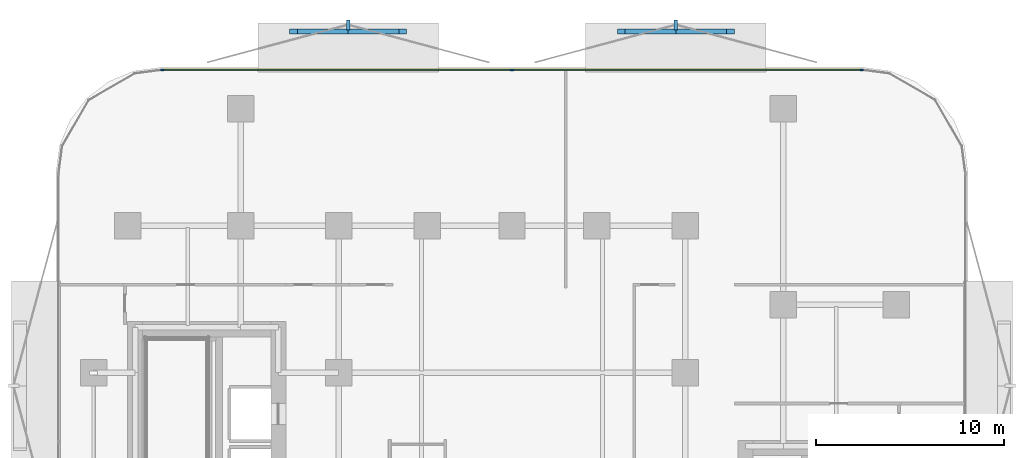
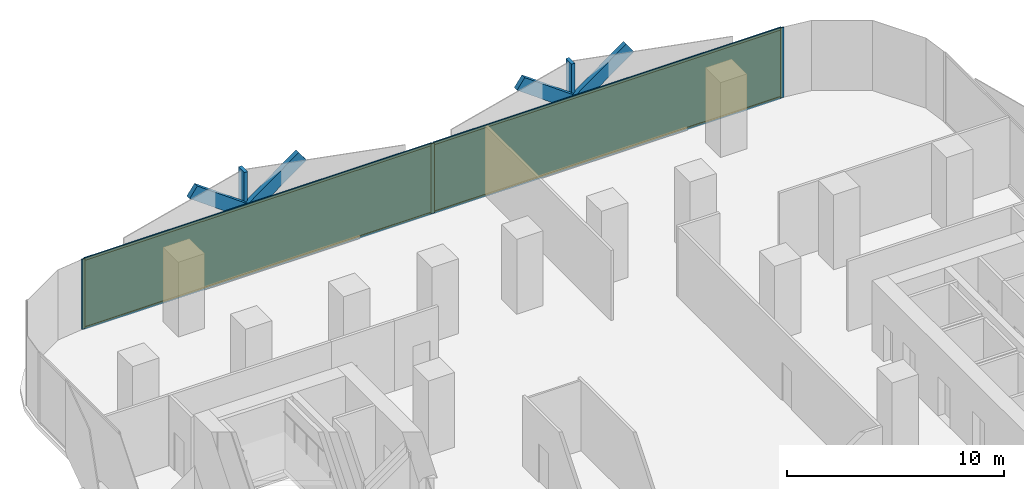
# One storey, part 10 of 15: 13 members, 2 plates, 1 curtain wall.
"""IFC4 building model written with IfcOpenShell, lengths in metres."""

from ifc_helpers import new_model, si_unit, direction, frame, frame_2d, origin, origin_2d, place, context, subcontext, project, spatial, rectangle, extrude, material, layer, layer_set, material_profile, profile_set, type_object, element, aggregate, save


model = new_model("IFC4")

# Units and contexts
model_context = context("Model", 3, precision=1e-05, world=origin(), true_north=direction((0.0, 1.0)))
body_context = subcontext(model_context, "Body", "Model", "MODEL_VIEW")
ifc_project = project(units=[si_unit("LENGTHUNIT", "METRE"), si_unit("AREAUNIT", "SQUARE_METRE"), si_unit("VOLUMEUNIT", "CUBIC_METRE"), si_unit("PLANEANGLEUNIT", "RADIAN"), si_unit("MASSUNIT", "GRAM", prefix="KILO")], contexts=[model_context])

# Member
ifc_material_1 = material(Name="Anodised Bronze Aluminium 6063-T6", Category="aluminium")
ifc_material_profile_1 = material_profile(ifc_material_1, rectangle(XDim=0.260009765625, YDim=0.699951171875, at=origin_2d()))
ifc_profile_set_1 = profile_set([ifc_material_profile_1], Name="Anodised Bronze Aluminium 6063-T6")
member_type_1 = type_object("IfcMemberType", Name="Bronze Diamond Solar-Screen Lattice Rib BDL-700", PredefinedType="MULLION", material=ifc_profile_set_1)
site_placement = place(None, origin())
building_placement = place(site_placement, origin())
storey_placement = place(building_placement, frame((0.0, 0.0, 30.199951171875)))
member_1_placement = place(storey_placement, frame((-11.593994140625, 28.89990234375, -0.1298828125), z_axis=(0.809806906486, 0.0, 0.58669649241), x_axis=(0.0, 1.0, 0.0)))
member_1 = element("IfcMember", 1, at=member_1_placement, type_object=member_type_1, Name="L07 Bronze Diamond Solar Screen Lattice Rib 13A", PredefinedType="MULLION", context=body_context, shape_type="SweptSolid", body=[
    extrude(rectangle(XDim=0.260009765625, YDim=0.699951171875, at=origin_2d()), origin(), (0.0, 0.0, 1.0), 7.15869140625),
])

member_2_placement = place(storey_placement, frame((-5.796875, 28.89990234375, -0.1298828125), z_axis=(-0.809806906486, 0.0, 0.58669649241), x_axis=(0.0, -1.0, 0.0)))
member_2 = element("IfcMember", 2, at=member_2_placement, type_object=member_type_1, Name="L07 Bronze Diamond Solar Screen Lattice Rib 13B", PredefinedType="MULLION", context=body_context, shape_type="SweptSolid", body=[
    extrude(rectangle(XDim=0.260009765625, YDim=0.699951171875, at=origin_2d()), origin(), (0.0, 0.0, 1.0), 7.15869140625),
])

member_3_placement = place(storey_placement, frame((5.796875, 28.89990234375, -0.1298828125), z_axis=(0.809806906486, 0.0, 0.58669649241), x_axis=(0.0, 1.0, 0.0)))
member_3 = element("IfcMember", 3, at=member_3_placement, type_object=member_type_1, Name="L07 Bronze Diamond Solar Screen Lattice Rib 14A", PredefinedType="MULLION", context=body_context, shape_type="SweptSolid", body=[
    extrude(rectangle(XDim=0.260009765625, YDim=0.699951171875, at=origin_2d()), origin(), (0.0, 0.0, 1.0), 7.15869140625),
])

member_4_placement = place(storey_placement, frame((11.593994140625, 28.89990234375, -0.1298828125), z_axis=(-0.809806906486, 0.0, 0.58669649241), x_axis=(0.0, -1.0, 0.0)))
member_4 = element("IfcMember", 4, at=member_4_placement, type_object=member_type_1, Name="L07 Bronze Diamond Solar Screen Lattice Rib 14B", PredefinedType="MULLION", context=body_context, shape_type="SweptSolid", body=[
    extrude(rectangle(XDim=0.260009765625, YDim=0.699951171875, at=origin_2d()), origin(), (0.0, 0.0, 1.0), 7.15869140625),
])

ifc_material_2 = material(Name="Anodised Bronze Aluminium 6063-T6", Category="aluminium")
ifc_material_profile_2 = material_profile(ifc_material_2, rectangle(XDim=0.179931640625, YDim=0.5400390625, at=origin_2d()))
ifc_profile_set_2 = profile_set([ifc_material_profile_2], Name="Anodised Bronze Aluminium 6063-T6")
member_type_2 = type_object("IfcMemberType", Name="Bronze Solar-Screen Vertical Fold Fin BSF-540", PredefinedType="MULLION", material=ifc_profile_set_2)
member_5_placement = place(storey_placement, frame((-8.6953125, 29.239990234375, -0.1298828125), z_axis=(0.0, 0.0, 1.0), x_axis=(1.0, 0.0, 0.0)))
member_5 = element("IfcMember", 5, at=member_5_placement, type_object=member_type_2, Name="L07 Bronze Solar Screen Vertical Fin 13", PredefinedType="MULLION", context=body_context, shape_type="SweptSolid", body=[
    extrude(rectangle(XDim=0.179931640625, YDim=0.5400390625, at=origin_2d()), origin(), (0.0, 0.0, 1.0), 4.199951171875),
])

member_6_placement = place(storey_placement, frame((8.6953125, 29.239990234375, -0.1298828125), z_axis=(0.0, 0.0, 1.0), x_axis=(1.0, 0.0, 0.0)))
member_6 = element("IfcMember", 6, at=member_6_placement, type_object=member_type_2, Name="L07 Bronze Solar Screen Vertical Fin 14", PredefinedType="MULLION", context=body_context, shape_type="SweptSolid", body=[
    extrude(rectangle(XDim=0.179931640625, YDim=0.5400390625, at=origin_2d()), origin(), (0.0, 0.0, 1.0), 4.199951171875),
])

ifc_material_3 = material(Name="Anodised Bronze Aluminium 6063-T6", Category="aluminium")
ifc_material_profile_3 = material_profile(ifc_material_3, rectangle(XDim=0.06494140625, YDim=0.179931640625, at=origin_2d()))
ifc_profile_set_3 = profile_set([ifc_material_profile_3], Name="Anodised Bronze Aluminium 6063-T6")
member_type_3 = type_object("IfcMemberType", Name="CW-Z1 Mullion 65x180", PredefinedType="MULLION", material=ifc_profile_set_3)
member_7_placement = place(storey_placement, frame((-18.558349609375, 26.860107421875, 0.0), z_axis=(0.0, 0.0, 1.0), x_axis=(0.0, 1.0, 0.0)))
member_7 = element("IfcMember", 7, at=member_7_placement, type_object=member_type_3, Name="CW-Z1 mullion 1", PredefinedType="MULLION", context=body_context, shape_type="SweptSolid", body=[
    extrude(rectangle(XDim=0.06494140625, YDim=0.179931640625, at=origin_2d()), origin(), (0.0, 0.0, 1.0), 3.93994140625),
])

member_8_placement = place(storey_placement, frame((0.0, 26.860107421875, 0.0), z_axis=(0.0, 0.0, 1.0), x_axis=(0.0, 1.0, 0.0)))
member_8 = element("IfcMember", 8, at=member_8_placement, type_object=member_type_3, Name="CW-Z1 mullion 2", PredefinedType="MULLION", context=body_context, shape_type="SweptSolid", body=[
    extrude(rectangle(XDim=0.06494140625, YDim=0.179931640625, at=origin_2d()), origin(), (0.0, 0.0, 1.0), 3.93994140625),
])

member_9_placement = place(storey_placement, frame((18.558349609375, 26.860107421875, 0.0), z_axis=(0.0, 0.0, 1.0), x_axis=(0.0, 1.0, 0.0)))
member_9 = element("IfcMember", 9, at=member_9_placement, type_object=member_type_3, Name="CW-Z1 mullion 3", PredefinedType="MULLION", context=body_context, shape_type="SweptSolid", body=[
    extrude(rectangle(XDim=0.06494140625, YDim=0.179931640625, at=origin_2d()), origin(), (0.0, 0.0, 1.0), 3.93994140625),
])

ifc_material_4 = material(Name="Anodised Bronze Aluminium 6063-T6", Category="aluminium")
ifc_material_profile_4 = material_profile(ifc_material_4, rectangle(XDim=0.06494140625, YDim=0.139892578125, at=origin_2d()))
ifc_profile_set_4 = profile_set([ifc_material_profile_4], Name="Anodised Bronze Aluminium 6063-T6")
member_type_4 = type_object("IfcMemberType", Name="CW-Z1 Transom 65x140", PredefinedType="USERDEFINED", material=ifc_profile_set_4)
member_10_placement = place(storey_placement, frame((-18.52587890625, 26.860107421875, 0.032470703125), z_axis=(1.0, 0.0, 0.0), x_axis=(0.0, 1.0, 0.0)))
member_10 = element("IfcMember", 10, at=member_10_placement, type_object=member_type_4, Name="CW-Z1 transom 1.1", ObjectType="TRANSOM", PredefinedType="USERDEFINED", context=body_context, shape_type="SweptSolid", body=[
    extrude(rectangle(XDim=0.06494140625, YDim=0.139892578125, at=origin_2d()), origin(), (0.0, 0.0, 1.0), 18.493408203125),
])

member_11_placement = place(storey_placement, frame((-18.52587890625, 26.860107421875, 3.907470703125), z_axis=(1.0, 0.0, 0.0), x_axis=(0.0, 1.0, 0.0)))
member_11 = element("IfcMember", 11, at=member_11_placement, type_object=member_type_4, Name="CW-Z1 transom 1.2", ObjectType="TRANSOM", PredefinedType="USERDEFINED", context=body_context, shape_type="SweptSolid", body=[
    extrude(rectangle(XDim=0.06494140625, YDim=0.139892578125, at=origin_2d()), origin(), (0.0, 0.0, 1.0), 18.493408203125),
])

member_12_placement = place(storey_placement, frame((0.032470703125, 26.860107421875, 0.032470703125), z_axis=(1.0, 0.0, 0.0), x_axis=(0.0, 1.0, 0.0)))
member_12 = element("IfcMember", 12, at=member_12_placement, type_object=member_type_4, Name="CW-Z1 transom 2.1", ObjectType="TRANSOM", PredefinedType="USERDEFINED", context=body_context, shape_type="SweptSolid", body=[
    extrude(rectangle(XDim=0.06494140625, YDim=0.139892578125, at=origin_2d()), origin(), (0.0, 0.0, 1.0), 18.493408203125),
])

member_13_placement = place(storey_placement, frame((0.032470703125, 26.860107421875, 3.907470703125), z_axis=(1.0, 0.0, 0.0), x_axis=(0.0, 1.0, 0.0)))
member_13 = element("IfcMember", 13, at=member_13_placement, type_object=member_type_4, Name="CW-Z1 transom 2.2", ObjectType="TRANSOM", PredefinedType="USERDEFINED", context=body_context, shape_type="SweptSolid", body=[
    extrude(rectangle(XDim=0.06494140625, YDim=0.139892578125, at=origin_2d()), origin(), (0.0, 0.0, 1.0), 18.493408203125),
])

# Plate
ifc_material_5 = material(Name="Low-E Solar Control Laminated Glass", Category="glass")
ifc_layer_1 = layer(ifc_material_5, 0.028076171875, Name="Low-E Solar Control Laminated Glass")
ifc_layer_set_1 = layer_set([ifc_layer_1], Name="Low-E Solar Control Laminated Glass")
plate_type = type_object("IfcPlateType", Name="CW-Z1 Low-E Double Glazed Panel 28mm", PredefinedType="CURTAIN_PANEL", material=ifc_layer_set_1)
plate_1_placement = place(storey_placement, frame((-9.279052734375, 26.860107421875, 0.06494140625), z_axis=(0.0, 0.0, 1.0), x_axis=(1.0, 0.0, 0.0)))
plate_1 = element("IfcPlate", 14, at=plate_1_placement, type_object=plate_type, Name="CW-Z1 panel 1.1", PredefinedType="CURTAIN_PANEL", context=body_context, shape_type="SweptSolid", body=[
    extrude(rectangle(XDim=18.493408203125, YDim=0.028076171875, at=origin_2d()), origin(), (0.0, 0.0, 1.0), 3.81005859375),
])

plate_2_placement = place(storey_placement, frame((9.279052734375, 26.860107421875, 0.06494140625), z_axis=(0.0, 0.0, 1.0), x_axis=(1.0, 0.0, 0.0)))
plate_2 = element("IfcPlate", 15, at=plate_2_placement, type_object=plate_type, Name="CW-Z1 panel 2.1", PredefinedType="CURTAIN_PANEL", context=body_context, shape_type="SweptSolid", body=[
    extrude(rectangle(XDim=18.493408203125, YDim=0.028076171875, at=origin_2d()), origin(), (0.0, 0.0, 1.0), 3.81005859375),
])

# Site, building, storey
site = spatial("IfcSite", under=ifc_project, at=site_placement, CompositionType="ELEMENT")
building = spatial("IfcBuilding", under=site, at=building_placement, Name="Khairoan Windgate Tower", CompositionType="ELEMENT")
storey = spatial("IfcBuildingStorey", under=building, at=storey_placement, Name="L07", CompositionType="ELEMENT", Elevation=30.199951171875)

# Curtain wall
ifc_material_6 = material(Name="Anodised Bronze Aluminium 6063-T6", Category="aluminium")
ifc_layer_2 = layer(ifc_material_6, 0.179931640625, Name="Anodised Bronze Aluminium 6063-T6")
ifc_layer_set_2 = layer_set([ifc_layer_2], Name="Anodised Bronze Aluminium 6063-T6")
curtain_wall_type = type_object("IfcCurtainWallType", Name="Low-Rise Office Unitised Curtain Wall CW-Z1", PredefinedType="NOTDEFINED", material=ifc_layer_set_2)
curtain_wall_placement = place(storey_placement, frame((-18.5908203125, 26.860107421875, 0.0), z_axis=(0.0, 0.0, 1.0), x_axis=(1.0, 0.0, 0.0)))
curtain_wall = element("IfcCurtainWall", 16, at=curtain_wall_placement, inside=storey, type_object=curtain_wall_type, Name="L07 Unitised Curtain Wall 11", PredefinedType="NOTDEFINED", context=body_context, shape_type="SweptSolid", body=[
    extrude(rectangle(XDim=37.181640625, YDim=0.010009765625, at=frame_2d((18.5908203125, 0.0))), origin(), (0.0, 0.0, 1.0), 3.93994140625),
])

aggregate(curtain_wall, [member_7, member_8, member_9, member_10, member_11, plate_1, member_12, member_13, plate_2, member_1, member_2, member_5, member_3, member_4, member_6])

save(model, "model.ifc")
